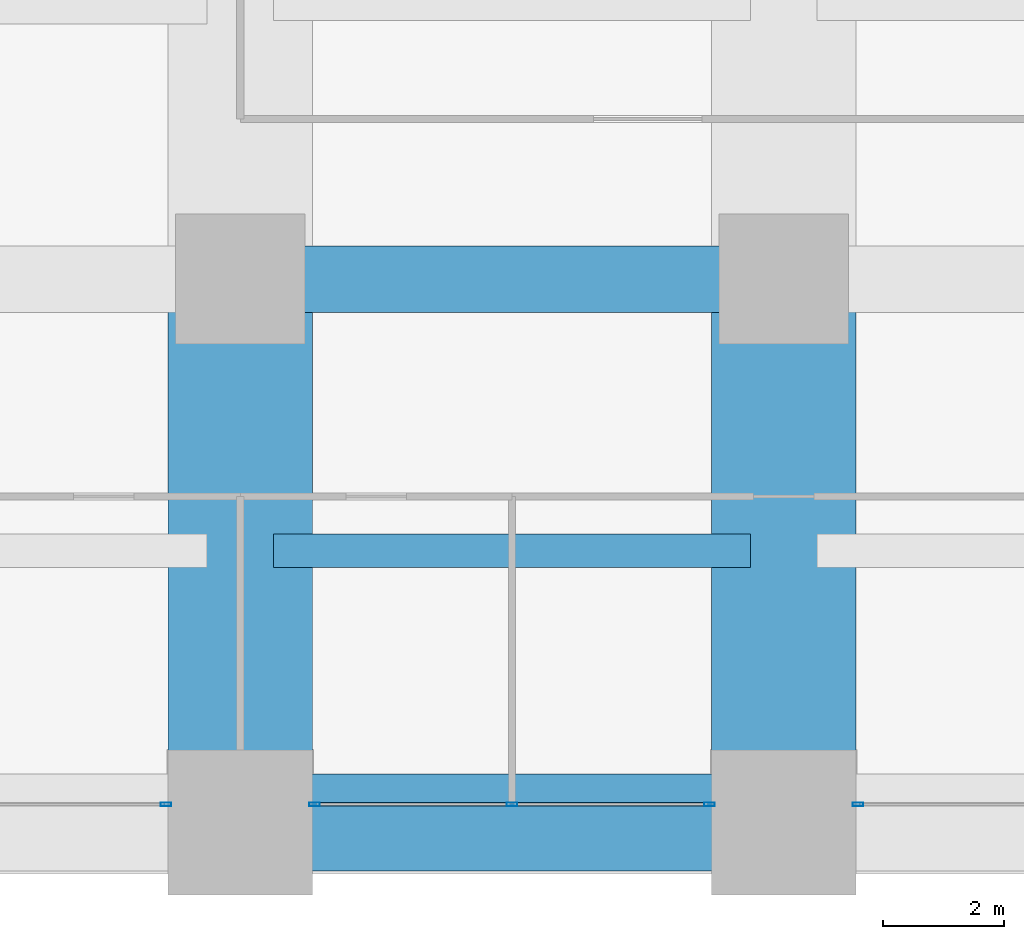
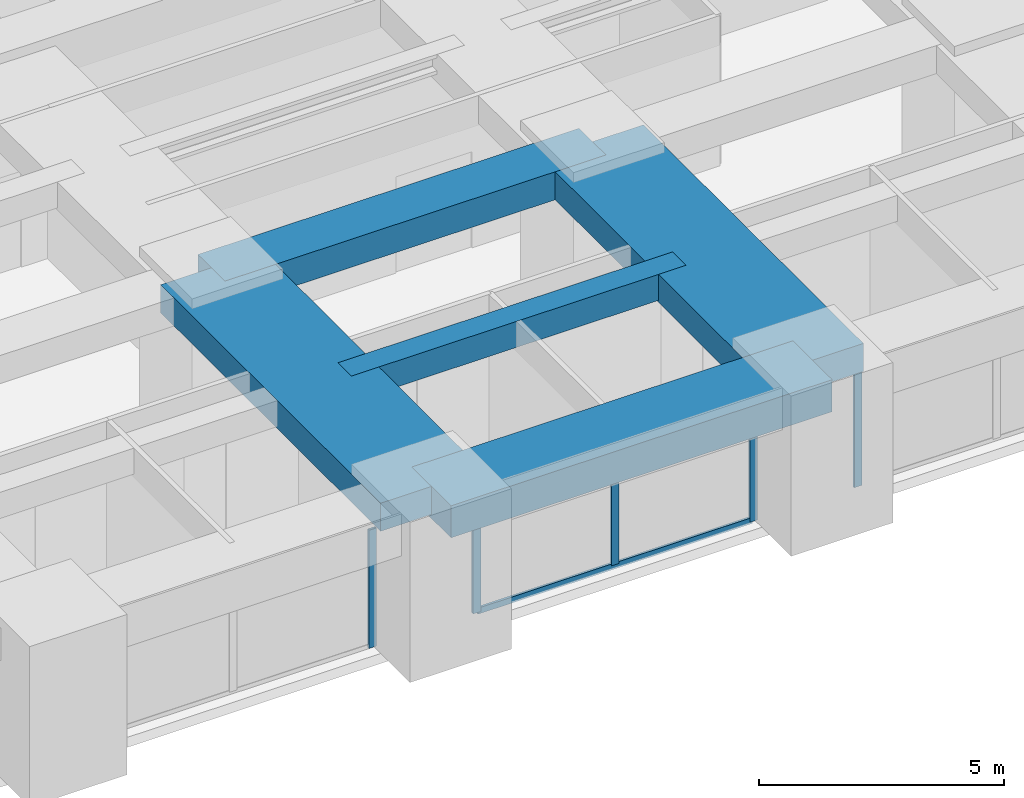
# One storey, part 6 of 45: 6 members, 5 beams, 3 elements without a shape of their own.
"""IFC4 building model written with IfcOpenShell, lengths in metres."""

import ifcopenshell
import ifcopenshell.guid

model = None  # the IFC model being written
_history = None  # IfcOwnerHistory: only IFC2X3 demands one
_inside = {}  # id of a spatial element -> (the spatial element, [elements in it])
_under = {}  # id of a project, library or spatial element -> (it, [spatial elements below it])
_declared = {}  # id of a project -> (the project, [libraries it declares])
_typed = {}  # id of a type object -> (the type object, [elements of that type])
_made_of = {}  # id of a material, layer set ... -> (it, [elements and type objects made of it])


def new_model(schema):
    """Start an empty IFC model of exactly this schema.

    Asked for "IFC4X3", IfcOpenShell would pick the latest addendum, in which some entities
    have other attributes; the version numbers below select the first issue.
    IFC2X3 requires an IfcOwnerHistory on every rooted entity: one is made here for all.
    """
    global model, _history
    if schema == "IFC4X3":
        model = ifcopenshell.file(schema_version=(4, 3, 0, 0))
    else:
        model = ifcopenshell.file(schema=schema)
    _inside.clear()
    _under.clear()
    _declared.clear()
    _typed.clear()
    _made_of.clear()
    _history = None
    if model.schema == "IFC2X3":
        org = make("IfcOrganization", Name="unknown")
        user = make(
            "IfcPersonAndOrganization",
            ThePerson=make("IfcPerson", FamilyName="unknown"),
            TheOrganization=org,
        )
        app = make(
            "IfcApplication",
            ApplicationDeveloper=org,
            Version="unknown",
            ApplicationFullName="unknown",
            ApplicationIdentifier="unknown",
        )
        _history = make(
            "IfcOwnerHistory",
            OwningUser=user,
            OwningApplication=app,
            ChangeAction="ADDED",
            CreationDate=0,
        )
    return model


def make(cls, **values):
    """One entity of the class cls with the attributes given. An attribute that is None is left unset."""
    return model.create_entity(
        cls, **{name: value for name, value in values.items() if value is not None}
    )


def rooted(cls, **values):
    """An entity with a GlobalId (a new one), such as an element, a storey or a relation."""
    return make(cls, GlobalId=ifcopenshell.guid.new(), OwnerHistory=_history, **values)


def si_unit(unit_type, name, prefix=None):
    """IfcSIUnit, for example si_unit("LENGTHUNIT", "METRE", prefix="MILLI")."""
    return make("IfcSIUnit", UnitType=unit_type, Prefix=prefix, Name=name)


def assignment(units):
    """IfcUnitAssignment: the units of a project."""
    return None if units is None else make("IfcUnitAssignment", Units=units)


def point(xyz):
    """IfcCartesianPoint."""
    return None if xyz is None else make("IfcCartesianPoint", Coordinates=xyz)


def direction(xyz):
    """IfcDirection."""
    return None if xyz is None else make("IfcDirection", DirectionRatios=xyz)


def frame(location, z_axis=None, x_axis=None):
    """IfcAxis2Placement3D, a coordinate frame: its origin and axes. An axis left out is left unset."""
    return make(
        "IfcAxis2Placement3D",
        Location=point(location),
        Axis=direction(z_axis),
        RefDirection=direction(x_axis),
    )


def frame_2d(location, x_axis=None):
    """IfcAxis2Placement2D, a coordinate frame in the plane: its origin and x axis."""
    return make(
        "IfcAxis2Placement2D", Location=point(location), RefDirection=direction(x_axis)
    )


def origin():
    """The frame at (0, 0, 0) with its axes left unset."""
    return frame((0.0, 0.0, 0.0))


def origin_2d():
    """The frame at (0, 0) in the plane with its x axis left unset."""
    return frame_2d((0.0, 0.0))


def place(relative_to, where):
    """IfcLocalPlacement: puts the frame where relative to a parent placement (None: the world)."""
    return make(
        "IfcLocalPlacement", PlacementRelTo=relative_to, RelativePlacement=where
    )


def context(
    kind, dimensions, precision=None, world=None, true_north=None, identifier=None
):
    """IfcGeometricRepresentationContext, for example the 3D "Model" context."""
    return make(
        "IfcGeometricRepresentationContext",
        ContextIdentifier=identifier,
        ContextType=kind,
        CoordinateSpaceDimension=dimensions,
        Precision=precision,
        WorldCoordinateSystem=world,
        TrueNorth=true_north,
    )


def subcontext(parent, identifier, kind, view, scale=None):
    """IfcGeometricRepresentationSubContext, for example "Body" below "Model"."""
    return make(
        "IfcGeometricRepresentationSubContext",
        ContextIdentifier=identifier,
        ContextType=kind,
        ParentContext=parent,
        TargetScale=scale,
        TargetView=view,
    )


def project(units=None, contexts=None):
    """IfcProject with its units and contexts."""
    return rooted(
        "IfcProject",
        Name="project",
        RepresentationContexts=contexts,
        UnitsInContext=assignment(units),
    )


def spatial(cls, under=None, at=None, **own):
    """A site, building, storey or space (cls), placed at a placement, below another one or the project."""
    s = rooted(cls, ObjectPlacement=at, **own)
    if under is not None:
        _under.setdefault(under.id(), (under, []))[1].append(s)
    return s


def profile(cls, at=None, kind="AREA", **sizes):
    """A parametric profile (cls). Its sizes go by their IFC names, for example OverallWidth=200.0."""
    return make(cls, ProfileType=kind, Position=at, **sizes)


def rectangle(**sizes):
    """IfcRectangleProfileDef."""
    return profile("IfcRectangleProfileDef", **sizes)


def hollow_rectangle(**sizes):
    """IfcRectangleHollowProfileDef."""
    return profile("IfcRectangleHollowProfileDef", **sizes)


def extrude(swept, where, along, depth):
    """IfcExtrudedAreaSolid: the profile swept, set in the frame where, extruded along a direction by depth."""
    return make(
        "IfcExtrudedAreaSolid",
        SweptArea=swept,
        Position=where,
        ExtrudedDirection=direction(along),
        Depth=depth,
    )


def shape(context_of_items, identifier, shape_type, items):
    """IfcShapeRepresentation: the items that make up one representation, for example the "Body"."""
    return make(
        "IfcShapeRepresentation",
        ContextOfItems=context_of_items,
        RepresentationIdentifier=identifier,
        RepresentationType=shape_type,
        Items=items,
    )


def material(Name=None, Category=None):
    """IfcMaterial."""
    return make("IfcMaterial", Name=Name, Category=Category)


def material_profile(
    of_material, cross_section, Name=None, Category=None, Priority=None
):
    """IfcMaterialProfile: a cross section and its material."""
    return make(
        "IfcMaterialProfile",
        Name=Name,
        Material=of_material,
        Profile=cross_section,
        Priority=Priority,
        Category=Category,
    )


def profile_set(profiles, Name=None, composite=None):
    """IfcMaterialProfileSet."""
    return make(
        "IfcMaterialProfileSet",
        Name=Name,
        MaterialProfiles=profiles,
        CompositeProfile=composite,
    )


def made_of(thing, what):
    """Note that an element or type object is made of a material, layer set ...; save() writes the relation."""
    if what is not None:
        _made_of.setdefault(what.id(), (what, []))[1].append(thing)
    return thing


def type_object(cls, material=None, **own):
    """A type object (cls), such as IfcWallType, which elements share."""
    return made_of(rooted(cls, **own), material)


def element(
    cls,
    number,
    at=None,
    inside=None,
    cuts=None,
    type_object=None,
    material=None,
    context=None,
    identifier="Body",
    shape_type=None,
    held_by="IfcProductDefinitionShape",
    body=None,
    shapes=None,
    **own,
):
    """One element of the class cls, such as IfcWall. Its Tag is "e" and its number.

    at: its placement. inside: the storey or other place that contains it. cuts: it is an
    opening in that element (IfcRelVoidsElement). A single representation is given by context,
    identifier, shape_type and body (its items); several are given by shapes. held_by: the class
    of the entity that holds the representations. save() writes the other relations.
    """
    e = rooted(cls, Tag="e%d" % number, ObjectPlacement=at, **own)
    if body is not None:
        shapes = [shape(context, identifier, shape_type, body)]
    if shapes is not None:
        e.Representation = make(held_by, Representations=shapes)
    if inside is not None:
        _inside.setdefault(inside.id(), (inside, []))[1].append(e)
    if cuts is not None:
        rooted(
            "IfcRelVoidsElement", RelatingBuildingElement=cuts, RelatedOpeningElement=e
        )
    if type_object is not None:
        _typed.setdefault(type_object.id(), (type_object, []))[1].append(e)
    return made_of(e, material)


def aggregate(whole, parts):
    """IfcRelAggregates: a whole, such as a stair, and the parts it consists of."""
    return rooted("IfcRelAggregates", RelatingObject=whole, RelatedObjects=parts)


def save(model, path):
    """Write the relations noted so far, then the file.

    IfcRelAggregates (storeys below a building ...), IfcRelContainedInSpatialStructure (elements
    in a storey), IfcRelDefinesByType, IfcRelAssociatesMaterial and IfcRelDeclares: one each for
    every whole, place, type object, material and project.
    """
    for whole, parts in _under.values():
        aggregate(whole, parts)
    for where, things in _inside.values():
        rooted(
            "IfcRelContainedInSpatialStructure",
            RelatedElements=things,
            RelatingStructure=where,
        )
    for kind, things in _typed.values():
        rooted("IfcRelDefinesByType", RelatedObjects=things, RelatingType=kind)
    for what, things in _made_of.values():
        rooted("IfcRelAssociatesMaterial", RelatedObjects=things, RelatingMaterial=what)
    for by, libraries in _declared.values():
        rooted("IfcRelDeclares", RelatingContext=by, RelatedDefinitions=libraries)
    model.write(path)


model = new_model("IFC4")

# Units and contexts
model_context = context("Model", 3, precision=1e-05, world=origin(), true_north=direction((0.0, 1.0)))
body_context = subcontext(model_context, "Body", "Model", "MODEL_VIEW")
ifc_project = project(units=[si_unit("LENGTHUNIT", "METRE"), si_unit("AREAUNIT", "SQUARE_METRE"), si_unit("VOLUMEUNIT", "CUBIC_METRE"), si_unit("PLANEANGLEUNIT", "RADIAN"), si_unit("MASSUNIT", "GRAM", prefix="KILO")], contexts=[model_context])

# Site, building, storey
site_placement = place(None, origin())
site = spatial("IfcSite", under=ifc_project, at=site_placement, CompositionType="ELEMENT")
building_placement = place(site_placement, origin())
building = spatial("IfcBuilding", under=site, at=building_placement, Name="Zorevar Civic Tower", CompositionType="ELEMENT")
storey_placement = place(building_placement, frame((0.0, 0.0, 71.800048828125)))
storey = spatial("IfcBuildingStorey", under=building, at=storey_placement, Name="L17", CompositionType="ELEMENT", Elevation=71.800048828125)

# Beams
ifc_material_1 = material(Name="Concrete C50/60", Category="concrete")
ifc_material_profile_1 = material_profile(ifc_material_1, rectangle(XDim=1.10009765625, YDim=0.699951171875, at=origin_2d()), Name="RC 1100x700")
ifc_profile_set_1 = profile_set([ifc_material_profile_1], Name="Concrete C50/60")
beam_type_1 = type_object("IfcBeamType", Name="Beam RC 1100x700", PredefinedType="BEAM", material=ifc_profile_set_1)
beam_1_placement = place(storey_placement, frame((18.0, 9.0, 3.39990234375), z_axis=(1.0, 0.0, 0.0), x_axis=(0.0, 1.0, 0.0)))
element("IfcBeam", 1, at=beam_1_placement, inside=storey, type_object=beam_type_1, Name="Girder L18", PredefinedType="BEAM", context=body_context, shape_type="SweptSolid", body=[
    extrude(rectangle(XDim=1.10009765625, YDim=0.699951171875, at=origin_2d()), origin(), (0.0, 0.0, 1.0), 9.0),
])
ifc_material_2 = material(Name="Concrete C50/60", Category="concrete")
ifc_material_profile_2 = material_profile(ifc_material_2, rectangle(XDim=2.39990234375, YDim=0.699951171875, at=origin_2d()), Name="RC 2400x700")
ifc_profile_set_2 = profile_set([ifc_material_profile_2], Name="Concrete C50/60")
beam_type_2 = type_object("IfcBeamType", Name="Beam RC 2400x700", PredefinedType="BEAM", material=ifc_profile_set_2)
for number, where, z_axis, x_axis, name in (
    (2, (18.0, 0.0, 3.39990234375), (0.0, 1.0, 0.0), (-1.0, 0.0, 0.0), "Girder L18"),
    (3, (27.0, 0.0, 3.39990234375), (0.0, 1.0, 0.0), (-1.0, 0.0, 0.0), "Girder L18"),
):
    element("IfcBeam", number, at=place(storey_placement, frame(where, z_axis=z_axis, x_axis=x_axis)), inside=storey, type_object=beam_type_2, Name=name, PredefinedType="BEAM", context=body_context, shape_type="SweptSolid", body=[
        extrude(rectangle(XDim=2.39990234375, YDim=0.699951171875, at=origin_2d()), origin(), (0.0, 0.0, 1.0), 9.0),
    ])
ifc_material_3 = material(Name="Concrete C50/60", Category="concrete")
ifc_material_profile_3 = material_profile(ifc_material_3, rectangle(XDim=0.550048828125, YDim=0.64990234375, at=origin_2d()), Name="RC 550x650")
ifc_profile_set_3 = profile_set([ifc_material_profile_3], Name="Concrete C50/60")
beam_type_3 = type_object("IfcBeamType", Name="Beam RC 550x650", PredefinedType="BEAM", material=ifc_profile_set_3)
beam_2_placement = place(storey_placement, frame((18.550048828125, 4.5, 3.425048828125), z_axis=(1.0, 0.0, 0.0), x_axis=(0.0, 1.0, 0.0)))
element("IfcBeam", 4, at=beam_2_placement, inside=storey, type_object=beam_type_3, Name="Secondary beam L18", PredefinedType="BEAM", context=body_context, shape_type="SweptSolid", body=[
    extrude(rectangle(XDim=0.550048828125, YDim=0.64990234375, at=origin_2d()), origin(), (0.0, 0.0, 1.0), 7.89990234375),
])

# Curtain wall, member
ifc_material_4 = material(Name="Dark grey solar-control glass in black aluminium frame", Category="aluminium")
curtain_wall_type = type_object("IfcCurtainWallType", Name="Curtain wall CW2 low zone", PredefinedType="NOTDEFINED", material=ifc_material_4)
curtain_wall_1_placement = place(storey_placement, origin())
curtain_wall_1 = element("IfcCurtainWall", 5, at=curtain_wall_1_placement, inside=storey, type_object=curtain_wall_type, Name="CW2 L17", PredefinedType="NOTDEFINED")
ifc_material_5 = material(Name="Aluminium, black anodised", Category="aluminium")
ifc_material_profile_4 = material_profile(ifc_material_5, hollow_rectangle(XDim=0.06005859375, YDim=0.179931640625, WallThickness=0.00390625, at=origin_2d()), Name="AL 180x60x4")
ifc_profile_set_4 = profile_set([ifc_material_profile_4], Name="Aluminium, black anodised")
member_type_1 = type_object("IfcMemberType", Name="CW2 mullion AL 180x60x4", PredefinedType="MULLION", material=ifc_profile_set_4)
member_1_placement = place(storey_placement, frame((16.77001953125, 0.300048828125, 0.0), z_axis=(0.0, 0.0, 1.0), x_axis=(0.0, 1.0, 0.0)))
member_1 = element("IfcMember", 6, at=member_1_placement, type_object=member_type_1, Name="CW2 mullion 3", PredefinedType="MULLION", context=body_context, shape_type="SweptSolid", body=[
    extrude(hollow_rectangle(XDim=0.06005859375, YDim=0.179931640625, WallThickness=0.00390625, at=origin_2d()), origin(), (0.0, 0.0, 1.0), 2.949951171875),
])
aggregate(curtain_wall_1, [member_1])

# Curtain wall, members
curtain_wall_2_placement = place(storey_placement, origin())
curtain_wall_2 = element("IfcCurtainWall", 7, at=curtain_wall_2_placement, inside=storey, type_object=curtain_wall_type, Name="CW2 L17", PredefinedType="NOTDEFINED")
member_2_placement = place(storey_placement, frame((19.22998046875, 0.300048828125, 0.0), z_axis=(0.0, 0.0, 1.0), x_axis=(0.0, 1.0, 0.0)))
member_2 = element("IfcMember", 8, at=member_2_placement, type_object=member_type_1, Name="CW2 mullion 1", PredefinedType="MULLION", context=body_context, shape_type="SweptSolid", body=[
    extrude(hollow_rectangle(XDim=0.06005859375, YDim=0.179931640625, WallThickness=0.00390625, at=origin_2d()), origin(), (0.0, 0.0, 1.0), 2.949951171875),
])
member_3_placement = place(storey_placement, frame((22.5, 0.300048828125, 0.06005859375), z_axis=(0.0, 0.0, 1.0), x_axis=(0.0, 1.0, 0.0)))
member_3 = element("IfcMember", 9, at=member_3_placement, type_object=member_type_1, Name="CW2 mullion 2", PredefinedType="MULLION", context=body_context, shape_type="SweptSolid", body=[
    extrude(hollow_rectangle(XDim=0.06005859375, YDim=0.179931640625, WallThickness=0.00390625, at=origin_2d()), origin(), (0.0, 0.0, 1.0), 2.889892578125),
])
member_4_placement = place(storey_placement, frame((25.77001953125, 0.300048828125, 0.0), z_axis=(0.0, 0.0, 1.0), x_axis=(0.0, 1.0, 0.0)))
member_4 = element("IfcMember", 10, at=member_4_placement, type_object=member_type_1, Name="CW2 mullion 3", PredefinedType="MULLION", context=body_context, shape_type="SweptSolid", body=[
    extrude(hollow_rectangle(XDim=0.06005859375, YDim=0.179931640625, WallThickness=0.00390625, at=origin_2d()), origin(), (0.0, 0.0, 1.0), 2.949951171875),
])

# Curtain wall, member
curtain_wall_3_placement = place(storey_placement, origin())
curtain_wall_3 = element("IfcCurtainWall", 11, at=curtain_wall_3_placement, inside=storey, type_object=curtain_wall_type, Name="CW2 L17", PredefinedType="NOTDEFINED")
member_5_placement = place(storey_placement, frame((28.22998046875, 0.300048828125, 0.0), z_axis=(0.0, 0.0, 1.0), x_axis=(0.0, 1.0, 0.0)))
member_5 = element("IfcMember", 12, at=member_5_placement, type_object=member_type_1, Name="CW2 mullion 1", PredefinedType="MULLION", context=body_context, shape_type="SweptSolid", body=[
    extrude(hollow_rectangle(XDim=0.06005859375, YDim=0.179931640625, WallThickness=0.00390625, at=origin_2d()), origin(), (0.0, 0.0, 1.0), 2.949951171875),
])
aggregate(curtain_wall_3, [member_5])

# Member
ifc_material_6 = material(Name="Aluminium, black anodised", Category="aluminium")
ifc_material_profile_5 = material_profile(ifc_material_6, hollow_rectangle(XDim=0.06005859375, YDim=0.14990234375, WallThickness=0.00390625, at=origin_2d()), Name="AL 150x60x4")
ifc_profile_set_5 = profile_set([ifc_material_profile_5], Name="Aluminium, black anodised")
member_type_2 = type_object("IfcMemberType", Name="CW2 transom AL 150x60x4", PredefinedType="USERDEFINED", material=ifc_profile_set_5)
member_6_placement = place(storey_placement, frame((19.260009765625, 0.300048828125, 0.030029296875), z_axis=(1.0, 0.0, 0.0), x_axis=(0.0, 1.0, 0.0)))
member_6 = element("IfcMember", 13, at=member_6_placement, type_object=member_type_2, Name="CW2 sill transom", ObjectType="TRANSOM", PredefinedType="USERDEFINED", context=body_context, shape_type="SweptSolid", body=[
    extrude(hollow_rectangle(XDim=0.06005859375, YDim=0.14990234375, WallThickness=0.00390625, at=origin_2d()), origin(), (0.0, 0.0, 1.0), 6.47998046875),
])

aggregate(curtain_wall_2, [member_2, member_3, member_4, member_6])

# Beam
ifc_material_7 = material(Name="Concrete C50/60", Category="concrete")
ifc_material_profile_6 = material_profile(ifc_material_7, rectangle(XDim=1.60009765625, YDim=0.800048828125, at=origin_2d()), Name="RC 1600x800")
ifc_profile_set_6 = profile_set([ifc_material_profile_6], Name="Concrete C50/60")
beam_type_4 = type_object("IfcBeamType", Name="Edge beam RC 1600x800", PredefinedType="SPANDREL", material=ifc_profile_set_6)
beam_3_placement = place(storey_placement, frame((18.0, 0.0, 3.349853515625), z_axis=(1.0, 0.0, 0.0), x_axis=(0.0, 1.0, 0.0)))
element("IfcBeam", 14, at=beam_3_placement, inside=storey, type_object=beam_type_4, Name="Edge beam L18", PredefinedType="SPANDREL", context=body_context, shape_type="SweptSolid", body=[
    extrude(rectangle(XDim=1.60009765625, YDim=0.800048828125, at=origin_2d()), origin(), (0.0, 0.0, 1.0), 9.0),
])

save(model, "model.ifc")
